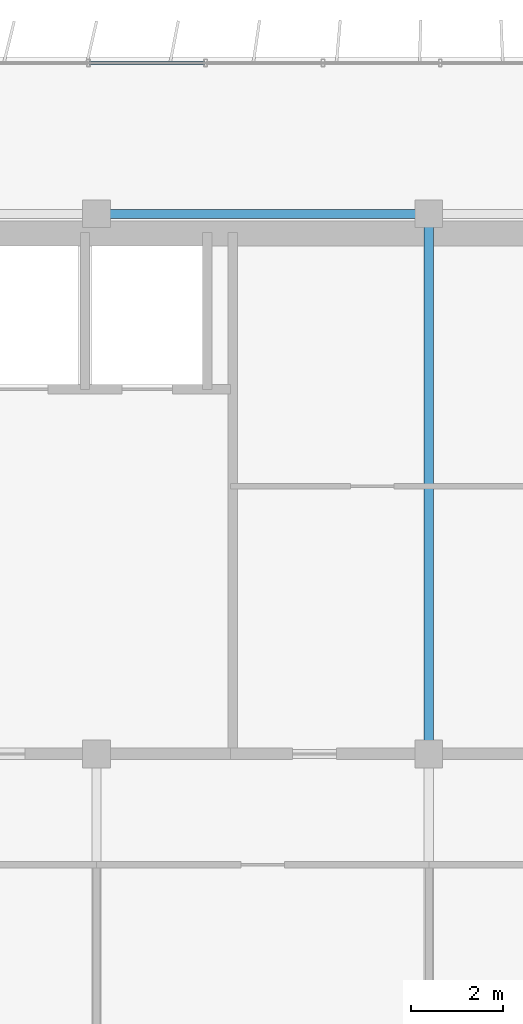
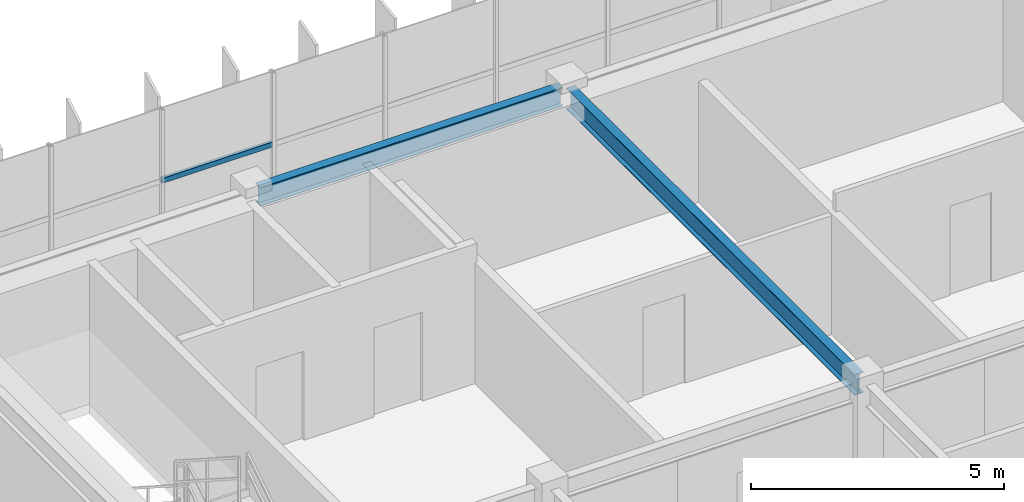
# One storey, part 7 of 21: 2 beams, 1 member, 1 element without a shape of its own.
"""IFC4 building model written with IfcOpenShell, lengths in metres."""

from ifc_helpers import new_model, si_unit, direction, frame, origin, origin_2d, place, context, subcontext, project, spatial, hollow_rectangle, i_section, extrude, source, transform, mapped, material, material_profile, profile_set, type_object, element, aggregate, save


model = new_model("IFC4")

# Units and contexts
model_context = context("Model", 3, precision=1e-05, world=origin(), true_north=direction((0.0, 1.0)))
body_context = subcontext(model_context, "Body", "Model", "MODEL_VIEW")
ifc_project = project(units=[si_unit("LENGTHUNIT", "METRE"), si_unit("AREAUNIT", "SQUARE_METRE"), si_unit("VOLUMEUNIT", "CUBIC_METRE"), si_unit("PLANEANGLEUNIT", "RADIAN"), si_unit("MASSUNIT", "GRAM", prefix="KILO")], contexts=[model_context])

# Site, building, storey
site_placement = place(None, origin())
site = spatial("IfcSite", under=ifc_project, at=site_placement, CompositionType="ELEMENT")
building_placement = place(site_placement, origin())
building = spatial("IfcBuilding", under=site, at=building_placement, Name="Trelvane Seafront Commons", CompositionType="ELEMENT")
storey_placement = place(building_placement, frame((0.0, 0.0, 255.89990234375)))
storey = spatial("IfcBuildingStorey", under=building, at=storey_placement, Name="L66", CompositionType="ELEMENT", Elevation=255.89990234375)

# Beams
ifc_material_1 = material(Name="Steel SM355 (S355)", Category="steel")
ifc_material_profile_1 = material_profile(ifc_material_1, i_section(OverallWidth=0.199951171875, OverallDepth=0.5, WebThickness=0.010009765625, FlangeThickness=0.01611328125, at=origin_2d()), Name="H-500x200x10x16")
ifc_profile_set_1 = profile_set([ifc_material_profile_1], Name="Steel SM355 (S355)")
beam_type_1 = type_object("IfcBeamType", Name="STR-BM-H500", PredefinedType="BEAM", material=ifc_profile_set_1)
shared_shape_1 = source(origin(), body_context, "Body", "SweptSolid", [
    extrude(i_section(OverallWidth=0.199951171875, OverallDepth=0.5, WebThickness=0.010009765625, FlangeThickness=0.01611328125, at=origin_2d()), origin(), (0.0, 0.0, 1.0), 11.39990234375),
])
beam_1_placement = place(storey_placement, frame((30.60009765625, 33.550048828125, 3.1201171875), z_axis=(0.0, 1.0, 0.0), x_axis=(-1.0, 0.0, 0.0)))
element("IfcBeam", 1, at=beam_1_placement, inside=storey, type_object=beam_type_1, Name="L66 Primary Girder G-40", PredefinedType="BEAM", context=body_context, shape_type="MappedRepresentation", body=[
    mapped(shared_shape_1, transform((0.0, 0.0, 0.0), x_axis=(1.0, 0.0, 0.0), y_axis=(0.0, 1.0, 0.0), z_axis=(0.0, 0.0, 1.0), scale=1.0)),
])
ifc_material_profile_2 = material_profile(ifc_material_1, i_section(OverallWidth=0.199951171875, OverallDepth=0.449951171875, WebThickness=0.009033203125, FlangeThickness=0.013916015625, at=origin_2d()), Name="H-450x200x9x14")
ifc_profile_set_2 = profile_set([ifc_material_profile_2], Name="Steel SM355 (S355)")
beam_type_2 = type_object("IfcBeamType", Name="STR-SPD-H450", PredefinedType="SPANDREL", material=ifc_profile_set_2)
shared_shape_2 = source(origin(), body_context, "Body", "SweptSolid", [
    extrude(i_section(OverallWidth=0.199951171875, OverallDepth=0.449951171875, WebThickness=0.009033203125, FlangeThickness=0.013916015625, at=origin_2d()), origin(), (0.0, 0.0, 1.0), 6.89990234375),
])
beam_2_placement = place(storey_placement, frame((23.550048828125, 45.10009765625, 3.14501953125), z_axis=(1.0, 0.0, 0.0), x_axis=(0.0, 1.0, 0.0)))
element("IfcBeam", 2, at=beam_2_placement, inside=storey, type_object=beam_type_2, Name="L66 Primary Girder G-24", PredefinedType="SPANDREL", context=body_context, shape_type="MappedRepresentation", body=[
    mapped(shared_shape_2, transform((0.0, 0.0, 0.0), x_axis=(1.0, 0.0, 0.0), y_axis=(0.0, 1.0, 0.0), z_axis=(0.0, 0.0, 1.0), scale=1.0)),
])

# Curtain wall, member
ifc_material_2 = material(Name="Anodised pale-silver aluminium", Category="aluminium")
curtain_wall_type = type_object("IfcCurtainWallType", Name="ARCH-CW5-UPTOWER", PredefinedType="NOTDEFINED", material=ifc_material_2)
curtain_wall_placement = place(storey_placement, origin())
curtain_wall = element("IfcCurtainWall", 3, at=curtain_wall_placement, inside=storey, type_object=curtain_wall_type, Name="CW-L66-0110", PredefinedType="NOTDEFINED")
ifc_material_profile_3 = material_profile(ifc_material_2, hollow_rectangle(XDim=0.070068359375, YDim=0.1201171875, WallThickness=0.00390625, at=origin_2d()), Name="TRAN-70x120x4")
ifc_profile_set_3 = profile_set([ifc_material_profile_3], Name="Anodised pale-silver aluminium")
member_type = type_object("IfcMemberType", Name="ARCH-CW-TRAN-120", PredefinedType="USERDEFINED", material=ifc_profile_set_3)
shared_shape_3 = source(origin(), body_context, "Body", "SweptSolid", [
    extrude(hollow_rectangle(XDim=0.070068359375, YDim=0.1201171875, WallThickness=0.00390625, at=origin_2d()), origin(), (0.0, 0.0, 1.0), 2.51708984375),
])
member_placement = place(storey_placement, frame((23.235595703125, 48.3701171875, 1.6181640625), z_axis=(1.0, 0.0, 0.0), x_axis=(0.0, 1.0, 0.0)))
member = element("IfcMember", 4, at=member_placement, type_object=member_type, Name="CW-L66-0110-T03", ObjectType="TRANSOM", PredefinedType="USERDEFINED", context=body_context, shape_type="MappedRepresentation", body=[
    mapped(shared_shape_3, transform((0.0, 0.0, 0.0), x_axis=(1.0, 0.0, 0.0), y_axis=(0.0, 1.0, 0.0), z_axis=(0.0, 0.0, 1.0), scale=1.0)),
])
aggregate(curtain_wall, [member])

save(model, "model.ifc")
